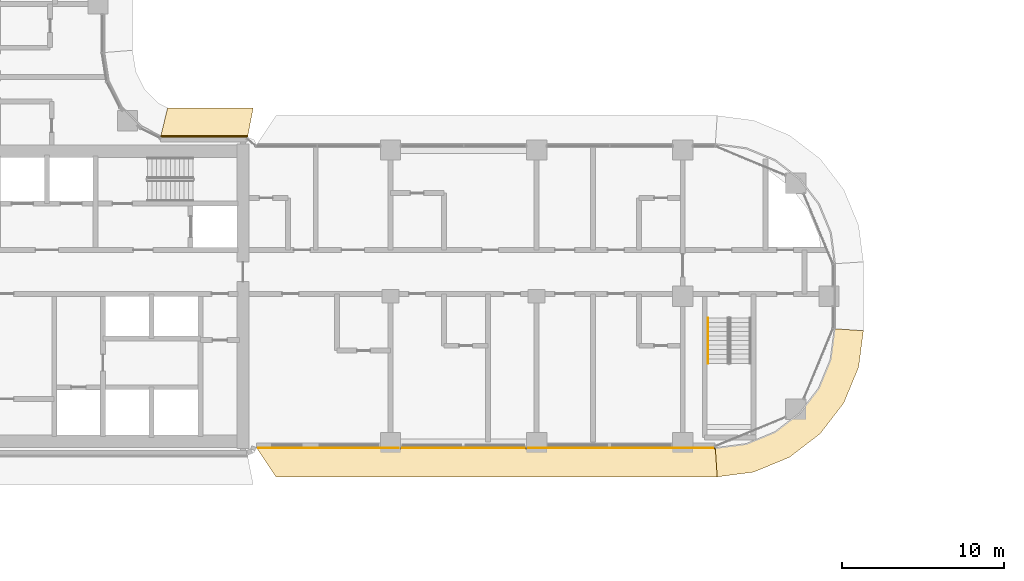
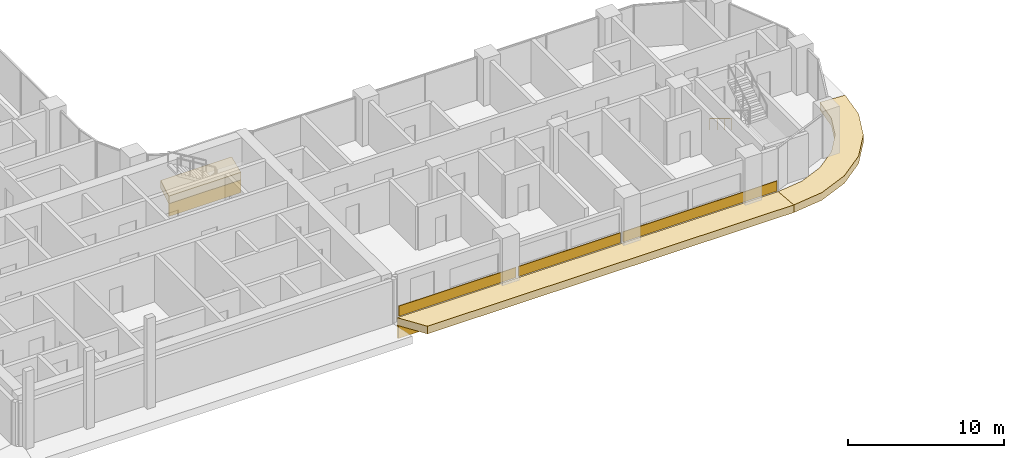
# One storey, part 27 of 33: 8 coverings, 1 railing.
"""IFC4 building model written with IfcOpenShell, lengths in metres."""

from ifc_helpers import new_model, si_unit, direction, frame, origin, origin_2d, place, context, subcontext, project, spatial, polyline, rectangle, circle, outline, extrude, material, layer, layer_set, type_object, element, save


model = new_model("IFC4")

# Units and contexts
model_context = context("Model", 3, precision=1e-05, world=origin(), true_north=direction((0.0, 1.0)))
body_context = subcontext(model_context, "Body", "Model", "MODEL_VIEW")
ifc_project = project(units=[si_unit("LENGTHUNIT", "METRE"), si_unit("AREAUNIT", "SQUARE_METRE"), si_unit("VOLUMEUNIT", "CUBIC_METRE"), si_unit("PLANEANGLEUNIT", "RADIAN"), si_unit("MASSUNIT", "GRAM", prefix="KILO")], contexts=[model_context])

# Site, building, storey
site_placement = place(None, origin())
site = spatial("IfcSite", under=ifc_project, at=site_placement, CompositionType="ELEMENT")
building_placement = place(site_placement, origin())
building = spatial("IfcBuilding", under=site, at=building_placement, Name="Ogive Portal Towers", CompositionType="ELEMENT")
storey_placement = place(building_placement, frame((0.0, 0.0, 98.199951171875)))
storey = spatial("IfcBuildingStorey", under=building, at=storey_placement, Name="L23", CompositionType="ELEMENT", Elevation=98.199951171875)

# Railing
ifc_material_1 = material(Name="Stainless steel handrail", Category="steel")
railing_type = type_object("IfcRailingType", Name="INT-HANDRAIL", PredefinedType="HANDRAIL", material=ifc_material_1)
railing_placement = place(storey_placement, frame((87.050048828125, 29.169921875, 0.168212890625)))
element("IfcRailing", 1, at=railing_placement, inside=storey, type_object=railing_type, Name="L23 ST-A4 stair handrail 1", PredefinedType="HANDRAIL", context=body_context, shape_type="SweptSolid", body=[
    extrude(circle(Radius=0.02392578125, at=origin_2d()), frame((0.0, 0.0, 0.8759765625), z_axis=(0.0, -0.857222391501, 0.514946377315), x_axis=(1.0, 0.0, 0.0)), (0.0, 0.0, 1.0), 3.26611328125),
    extrude(circle(Radius=0.02099609375, at=origin_2d()), origin(), (0.0, 0.0, 1.0), 0.851806640625),
    extrude(circle(Radius=0.02099609375, at=origin_2d()), frame((0.0, -0.933349609375, 0.560546875)), (0.0, 0.0, 1.0), 0.851806640625),
    extrude(circle(Radius=0.02099609375, at=origin_2d()), frame((0.0, -1.866455078125, 1.121337890625)), (0.0, 0.0, 1.0), 0.851806640625),
    extrude(circle(Radius=0.02099609375, at=origin_2d()), frame((0.0, -2.7998046875, 1.681884765625)), (0.0, 0.0, 1.0), 0.851806640625),
])

# Coverings
ifc_material_2 = material(Name="Limestone cladding on lightweight block wall", Category="masonry")
ifc_layer_1 = layer(ifc_material_2, 0.050048828125)
ifc_layer_set_1 = layer_set([ifc_layer_1], Name="SCREEN PERFORATED STONE")
covering_type_1 = type_object("IfcCoveringType", Name="SCREEN PERFORATED STONE", PredefinedType="CLADDING", material=ifc_layer_set_1)
covering_1_placement = place(storey_placement, frame((63.687744140625, 21.155029296875, 0.10009765625), z_axis=(0.0, 0.0, 1.0), x_axis=(1.0, 0.0, 0.0)))
element("IfcCovering", 2, at=covering_1_placement, inside=storey, type_object=covering_type_1, Name="Tracery screen", PredefinedType="CLADDING", context=body_context, shape_type="SweptSolid", body=[
    extrude(rectangle(XDim=8.6748046875, YDim=0.050048828125, at=origin_2d()), origin(), (0.0, 0.0, 1.0), 0.800048828125),
])
covering_2_placement = place(storey_placement, frame((72.0, 21.155029296875, 0.10009765625), z_axis=(0.0, 0.0, 1.0), x_axis=(1.0, 0.0, 0.0)))
element("IfcCovering", 3, at=covering_2_placement, inside=storey, type_object=covering_type_1, Name="Tracery screen", PredefinedType="CLADDING", context=body_context, shape_type="SweptSolid", body=[
    extrude(rectangle(XDim=7.550048828125, YDim=0.050048828125, at=origin_2d()), origin(), (0.0, 0.0, 1.0), 0.800048828125),
])
covering_3_placement = place(storey_placement, frame((81.679443359375, 21.155029296875, 0.10009765625), z_axis=(0.0, 0.0, 1.0), x_axis=(1.0, 0.0, 0.0)))
element("IfcCovering", 4, at=covering_3_placement, inside=storey, type_object=covering_type_1, Name="Tracery screen", PredefinedType="CLADDING", context=body_context, shape_type="SweptSolid", body=[
    extrude(rectangle(XDim=11.4091796875, YDim=0.050048828125, at=origin_2d()), origin(), (0.0, 0.0, 1.0), 0.800048828125),
])
ifc_layer_2 = layer(ifc_material_2, 0.080078125)
ifc_layer_set_2 = layer_set([ifc_layer_2], Name="STONE SPANDREL 80")
covering_type_2 = type_object("IfcCoveringType", Name="STONE SPANDREL 80", PredefinedType="CLADDING", material=ifc_layer_set_2)
covering_4_placement = place(storey_placement, frame((0.0, 0.0, -1.599853515625)))
element("IfcCovering", 5, at=covering_4_placement, inside=storey, type_object=covering_type_2, Name="Stone spandrel A1-F02", PredefinedType="CLADDING", context=body_context, shape_type="SweptSolid", body=[
    extrude(outline(polyline([(58.699951171875, 40.300048828125), (53.348388671875, 40.300048828125), (53.367431640625, 40.3798828125), (58.7158203125, 40.3798828125), (58.699951171875, 40.300048828125)])), origin(), (0.0, 0.0, 1.0), 1.0),
])
covering_5_placement = place(storey_placement, frame((0.0, 0.0, -1.599853515625)))
element("IfcCovering", 6, at=covering_5_placement, inside=storey, type_object=covering_type_2, Name="Stone spandrel A1-F12", PredefinedType="CLADDING", context=body_context, shape_type="SweptSolid", body=[
    extrude(outline(polyline([(59.250244140625, 21.179931640625), (87.5, 21.179931640625), (87.505126953125, 21.10009765625), (59.3037109375, 21.10009765625), (59.250244140625, 21.179931640625)])), origin(), (0.0, 0.0, 1.0), 1.0),
])
ifc_layer_3 = layer(ifc_material_2, 0.60009765625)
ifc_layer_set_3 = layer_set([ifc_layer_3], Name="SUNSHADE LIP 600")
covering_type_3 = type_object("IfcCoveringType", Name="SUNSHADE LIP 600", PredefinedType="CLADDING", material=ifc_layer_set_3)
covering_6_placement = place(storey_placement, frame((0.0, 0.0, -0.599853515625)))
element("IfcCovering", 7, at=covering_6_placement, inside=storey, type_object=covering_type_3, Name="Sunshade lip A1-F02", PredefinedType="CLADDING", context=body_context, shape_type="SweptSolid", body=[
    extrude(outline(polyline([(58.699951171875, 40.300048828125), (53.348388671875, 40.300048828125), (53.780517578125, 42.10009765625), (59.05810546875, 42.10009765625), (58.699951171875, 40.300048828125)])), origin(), (0.0, 0.0, 1.0), 0.599853515625),
])
covering_7_placement = place(storey_placement, frame((0.0, 0.0, -0.599853515625)))
element("IfcCovering", 8, at=covering_7_placement, inside=storey, type_object=covering_type_3, Name="Sunshade lip A1-F12", PredefinedType="CLADDING", context=body_context, shape_type="SweptSolid", body=[
    extrude(outline(polyline([(59.250244140625, 21.179931640625), (87.5, 21.179931640625), (87.617919921875, 19.3798828125), (60.453125, 19.3798828125), (59.250244140625, 21.179931640625)])), origin(), (0.0, 0.0, 1.0), 0.599853515625),
])
covering_8_placement = place(storey_placement, frame((0.0, 0.0, -0.599853515625)))
element("IfcCovering", 9, at=covering_8_placement, inside=storey, type_object=covering_type_3, Name="Sunshade lip A1-F13", PredefinedType="CLADDING", context=body_context, shape_type="SweptSolid", body=[
    extrude(outline(polyline([(87.5, 21.179931640625), (89.39453125, 21.429443359375), (91.159912109375, 22.16064453125), (92.676025390625, 23.323974609375), (93.83935546875, 24.840087890625), (94.570556640625, 26.60546875), (94.820068359375, 28.5), (96.6201171875, 28.382080078125), (96.32421875, 26.135498046875), (95.41162109375, 23.93212890625), (93.959716796875, 22.040283203125), (92.06787109375, 20.58837890625), (89.864501953125, 19.67578125), (87.617919921875, 19.3798828125), (87.5, 21.179931640625)])), origin(), (0.0, 0.0, 1.0), 0.599853515625),
])

save(model, "model.ifc")
